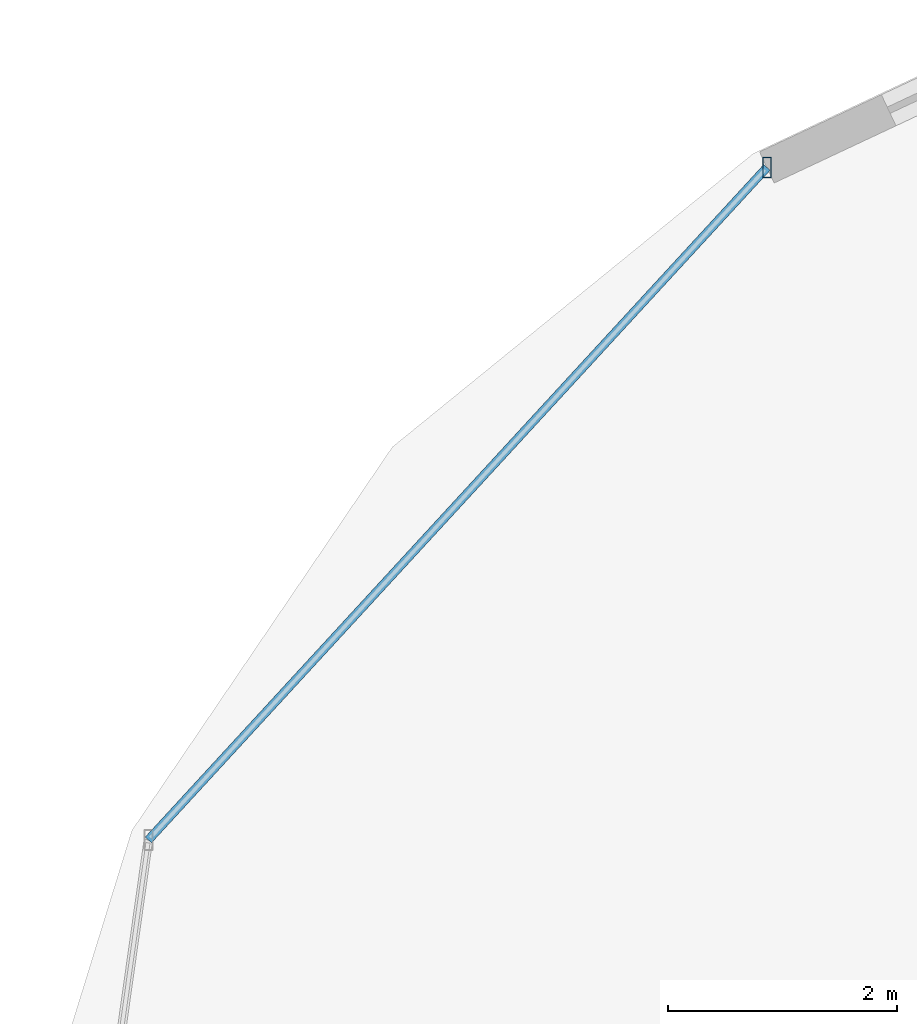
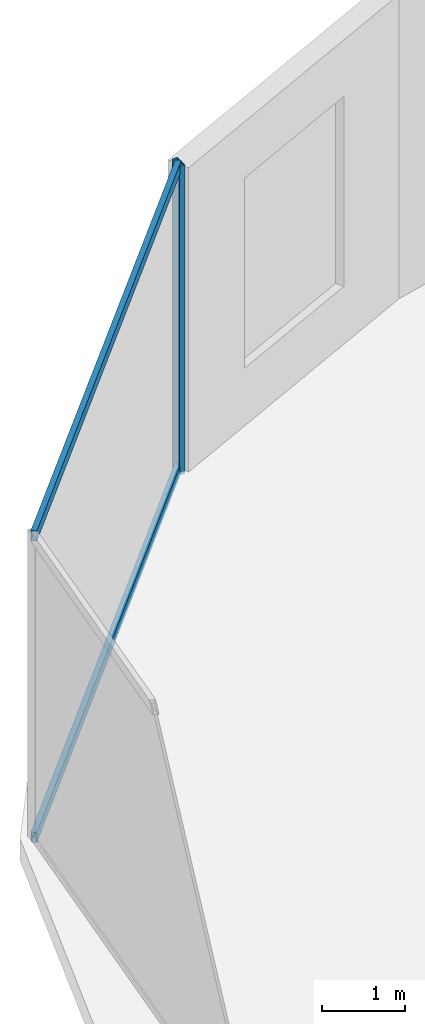
# One storey, part 14 of 30: 3 members, 1 element without a shape of its own.
"""IFC4 building model written with IfcOpenShell, lengths in metres."""

from ifc_helpers import new_model, si_unit, direction, frame, origin, origin_2d, place, context, subcontext, project, spatial, hollow_rectangle, extrude, material, material_profile, profile_set, type_object, element, aggregate, save


model = new_model("IFC4")

# Units and contexts
model_context = context("Model", 3, precision=1e-05, world=origin(), true_north=direction((0.0, 1.0)))
body_context = subcontext(model_context, "Body", "Model", "MODEL_VIEW")
ifc_project = project(units=[si_unit("LENGTHUNIT", "METRE"), si_unit("AREAUNIT", "SQUARE_METRE"), si_unit("VOLUMEUNIT", "CUBIC_METRE"), si_unit("PLANEANGLEUNIT", "RADIAN"), si_unit("MASSUNIT", "GRAM", prefix="KILO")], contexts=[model_context])

# Site, building, storey
site_placement = place(None, origin())
site = spatial("IfcSite", under=ifc_project, at=site_placement, CompositionType="ELEMENT")
building_placement = place(site_placement, origin())
building = spatial("IfcBuilding", under=site, at=building_placement, Name="Vorneva Point Tower", CompositionType="ELEMENT")
storey_placement = place(building_placement, frame((0.0, 0.0, 9.60009765625)))
storey = spatial("IfcBuildingStorey", under=building, at=storey_placement, Name="L02", CompositionType="ELEMENT", Elevation=9.60009765625)

# Curtain wall, members
ifc_material = material(Name="Pale anodised aluminium", Category="aluminium")
curtain_wall_type = type_object("IfcCurtainWallType", Name="CW-POD-SYS", PredefinedType="NOTDEFINED", material=ifc_material)
curtain_wall_placement = place(storey_placement, origin())
curtain_wall = element("IfcCurtainWall", 1, at=curtain_wall_placement, inside=storey, type_object=curtain_wall_type, Name="L02 Unitised Curtain Wall CW-L02-R03", PredefinedType="NOTDEFINED")
ifc_material_profile_1 = material_profile(ifc_material, hollow_rectangle(XDim=0.074951171875, YDim=0.179931640625, WallThickness=0.00390625, at=origin_2d()), Name="AL-MUL 180x75x4")
ifc_profile_set_1 = profile_set([ifc_material_profile_1], Name="Pale anodised aluminium")
member_type_1 = type_object("IfcMemberType", Name="CW-MUL-180", PredefinedType="MULLION", material=ifc_profile_set_1)
member_1_placement = place(storey_placement, frame((10.1787109375, 44.883056640625, -0.0400390625), z_axis=(0.0, 0.0, 1.0), x_axis=(1.0, 0.0, 0.0)))
member_1 = element("IfcMember", 2, at=member_1_placement, type_object=member_type_1, Name="CW-L02-R03 Mullion 01", PredefinedType="MULLION", context=body_context, shape_type="SweptSolid", body=[
    extrude(hollow_rectangle(XDim=0.074951171875, YDim=0.179931640625, WallThickness=0.00390625, at=origin_2d()), origin(), (0.0, 0.0, 1.0), 4.550048828125),
])
ifc_material_profile_2 = material_profile(ifc_material, hollow_rectangle(XDim=0.074951171875, YDim=0.14990234375, WallThickness=0.00390625, at=origin_2d()), Name="AL-TRN 150x75x4")
ifc_profile_set_2 = profile_set([ifc_material_profile_2], Name="Pale anodised aluminium")
member_type_2 = type_object("IfcMemberType", Name="CW-TRN-150", PredefinedType="USERDEFINED", material=ifc_profile_set_2)
member_2_placement = place(storey_placement, frame((10.1787109375, 44.883056640625, 0.02001953125), z_axis=(-0.67696055084, -0.736019301789, 0.0), x_axis=(0.736019301789, -0.67696055084, 0.0)))
member_2 = element("IfcMember", 3, at=member_2_placement, type_object=member_type_2, Name="CW-L02-R03 Transom 01.1", ObjectType="TRANSOM", PredefinedType="USERDEFINED", context=body_context, shape_type="SweptSolid", body=[
    extrude(hollow_rectangle(XDim=0.074951171875, YDim=0.14990234375, WallThickness=0.00390625, at=origin_2d()), origin(), (0.0, 0.0, 1.0), 7.99072265625),
])
member_3_placement = place(storey_placement, frame((10.1787109375, 44.883056640625, 4.4599609375), z_axis=(-0.67696055084, -0.736019301789, 0.0), x_axis=(0.736019301789, -0.67696055084, 0.0)))
member_3 = element("IfcMember", 4, at=member_3_placement, type_object=member_type_2, Name="CW-L02-R03 Transom 01.2", ObjectType="TRANSOM", PredefinedType="USERDEFINED", context=body_context, shape_type="SweptSolid", body=[
    extrude(hollow_rectangle(XDim=0.074951171875, YDim=0.14990234375, WallThickness=0.00390625, at=origin_2d()), origin(), (0.0, 0.0, 1.0), 7.99072265625),
])
aggregate(curtain_wall, [member_1, member_2, member_3])

save(model, "model.ifc")
